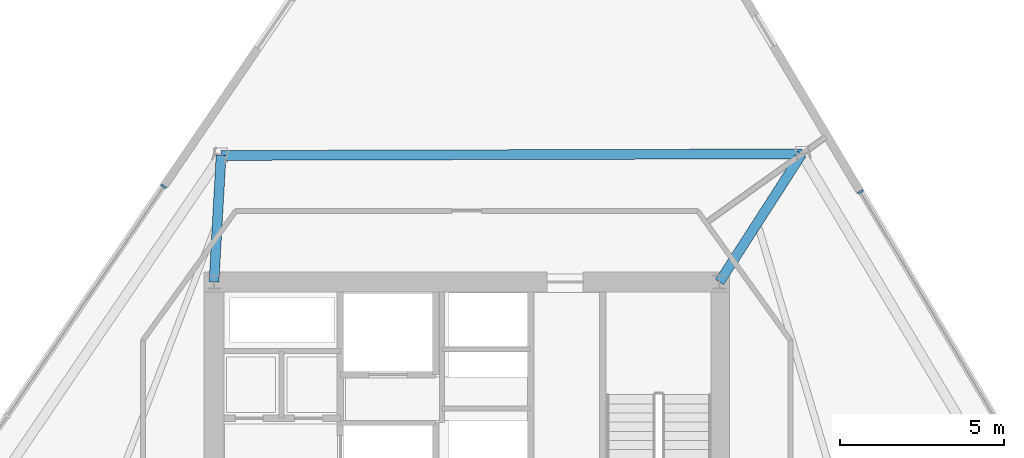
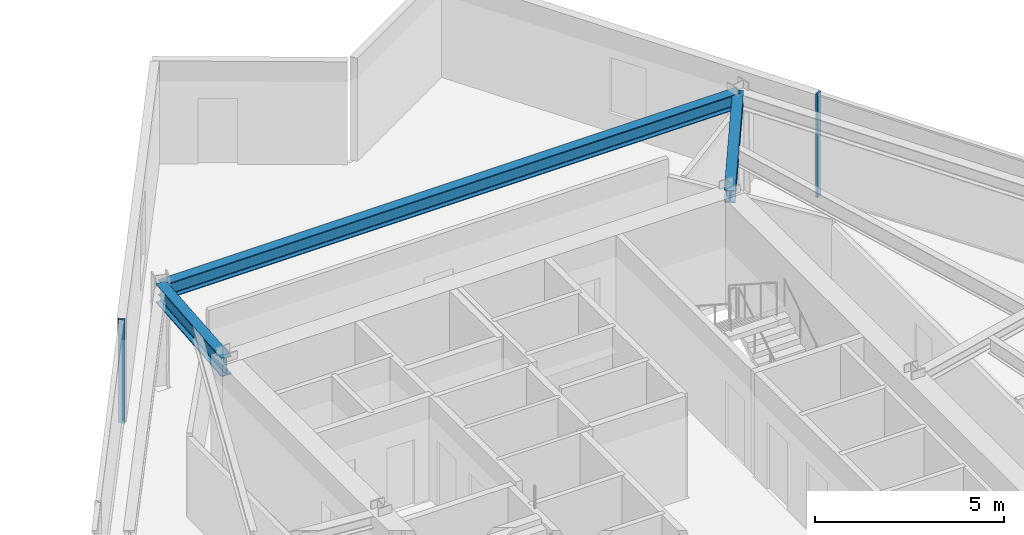
# One storey, part 6 of 15: 3 beams, 2 members, 2 elements without a shape of their own.
"""IFC4 building model written with IfcOpenShell, lengths in metres."""

from ifc_helpers import new_model, si_unit, direction, frame, origin, origin_2d, place, context, subcontext, project, spatial, rectangle, i_section, extrude, material, material_profile, profile_set, type_object, element, aggregate, save


model = new_model("IFC4")

# Units and contexts
model_context = context("Model", 3, precision=1e-05, world=origin(), true_north=direction((0.0, 1.0)))
body_context = subcontext(model_context, "Body", "Model", "MODEL_VIEW")
ifc_project = project(units=[si_unit("LENGTHUNIT", "METRE"), si_unit("AREAUNIT", "SQUARE_METRE"), si_unit("VOLUMEUNIT", "CUBIC_METRE"), si_unit("PLANEANGLEUNIT", "RADIAN"), si_unit("MASSUNIT", "GRAM", prefix="KILO")], contexts=[model_context])

# Site, building, storey
site_placement = place(None, origin())
site = spatial("IfcSite", under=ifc_project, at=site_placement, CompositionType="ELEMENT")
building_placement = place(site_placement, origin())
building = spatial("IfcBuilding", under=site, at=building_placement, Name="Savorim Split Tower", CompositionType="ELEMENT")
storey_placement = place(building_placement, frame((0.0, 0.0, 82.5)))
storey = spatial("IfcBuildingStorey", under=building, at=storey_placement, Name="L21", CompositionType="ELEMENT", Elevation=82.5)

# Beams
ifc_material_1 = material(Name="Steel S355", Category="steel")
ifc_material_profile_1 = material_profile(ifc_material_1, i_section(OverallWidth=0.300048828125, OverallDepth=0.39990234375, WebThickness=0.013427734375, FlangeThickness=0.02392578125, FilletRadius=0.027099609375, at=origin_2d()), Name="HEB 400")
ifc_profile_set_1 = profile_set([ifc_material_profile_1], Name="Steel S355")
beam_type_1 = type_object("IfcBeamType", Name="BM-PRI-HEB400", PredefinedType="BEAM", material=ifc_profile_set_1)
beam_1_placement = place(storey_placement, frame((10.208984375, 14.10400390625, 3.14990234375), z_axis=(-0.540648573136, -0.841248548508, 0.0), x_axis=(0.841248548508, -0.540648573136, 0.0)))
element("IfcBeam", 1, at=beam_1_placement, inside=storey, type_object=beam_type_1, Name="L21 Primary Floor Girder RG-07", PredefinedType="BEAM", context=body_context, shape_type="SweptSolid", body=[
    extrude(i_section(OverallWidth=0.300048828125, OverallDepth=0.39990234375, WebThickness=0.013427734375, FlangeThickness=0.02392578125, FilletRadius=0.027099609375, at=origin_2d()), origin(), (0.0, 0.0, 1.0), 4.640869140625),
])
ifc_material_profile_2 = material_profile(ifc_material_1, i_section(OverallWidth=0.300048828125, OverallDepth=0.60009765625, WebThickness=0.015380859375, FlangeThickness=0.030029296875, FilletRadius=0.027099609375, at=origin_2d()), Name="HEB 600")
ifc_profile_set_2 = profile_set([ifc_material_profile_2], Name="Steel S355")
beam_type_2 = type_object("IfcBeamType", Name="BM-PRI-HEB600", PredefinedType="BEAM", material=ifc_profile_set_2)
beam_2_placement = place(storey_placement, frame((-7.485107421875, 14.05517578125, 3.050048828125), z_axis=(-0.055641612868, -0.998450805457, 0.0), x_axis=(0.998450805457, -0.055641612868, 0.0)))
element("IfcBeam", 2, at=beam_2_placement, inside=storey, type_object=beam_type_2, Name="L21 Primary Floor Girder RG-08", PredefinedType="BEAM", context=body_context, shape_type="SweptSolid", body=[
    extrude(i_section(OverallWidth=0.300048828125, OverallDepth=0.60009765625, WebThickness=0.015380859375, FlangeThickness=0.030029296875, FilletRadius=0.027099609375, at=origin_2d()), origin(), (0.0, 0.0, 1.0), 3.861328125),
])
ifc_material_profile_3 = material_profile(ifc_material_1, i_section(OverallWidth=0.300048828125, OverallDepth=0.489990234375, WebThickness=0.011962890625, FlangeThickness=0.02294921875, FilletRadius=0.027099609375, at=origin_2d()), Name="HEA 500")
ifc_profile_set_3 = profile_set([ifc_material_profile_3], Name="Steel S355")
beam_type_3 = type_object("IfcBeamType", Name="BM-SPN-HEA500", PredefinedType="SPANDREL", material=ifc_profile_set_3)
beam_3_placement = place(storey_placement, frame((10.208984375, 14.10400390625, 3.10498046875), z_axis=(-0.999996192402, -0.002759561759, 0.0), x_axis=(0.002759561759, -0.999996192402, 0.0)))
element("IfcBeam", 3, at=beam_3_placement, inside=storey, type_object=beam_type_3, Name="L21 Perimeter Spandrel Beam 7", PredefinedType="SPANDREL", context=body_context, shape_type="SweptSolid", body=[
    extrude(i_section(OverallWidth=0.300048828125, OverallDepth=0.489990234375, WebThickness=0.011962890625, FlangeThickness=0.02294921875, FilletRadius=0.027099609375, at=origin_2d()), origin(), (0.0, 0.0, 1.0), 17.694091796875),
])

# Curtain wall, member
ifc_material_2 = material(Name="Dark Ceramic-Fritted Insulated Glass", Category="glass")
curtain_wall_type = type_object("IfcCurtainWallType", Name="CW-TWR-FRIT-A", PredefinedType="NOTDEFINED", material=ifc_material_2)
curtain_wall_1_placement = place(storey_placement, origin())
curtain_wall_1 = element("IfcCurtainWall", 4, at=curtain_wall_1_placement, inside=storey, type_object=curtain_wall_type, Name="L21 Curtain Wall CW-L21-EAST", PredefinedType="NOTDEFINED")
ifc_material_3 = material(Name="Charcoal Anodised Aluminium", Category="aluminium")
ifc_material_profile_4 = material_profile(ifc_material_3, rectangle(XDim=0.179931640625, YDim=0.06494140625, at=origin_2d()), Name="ALU-M 180x65")
ifc_profile_set_4 = profile_set([ifc_material_profile_4], Name="Charcoal Anodised Aluminium")
member_type = type_object("IfcMemberType", Name="CWM-180x65", PredefinedType="MULLION", material=ifc_profile_set_4)
member_1_placement = place(storey_placement, frame((11.993408203125, 12.94482421875, 0.0), z_axis=(0.0, 0.0, 1.0), x_axis=(-0.859524537852, -0.511094481315, 0.0)))
member_1 = element("IfcMember", 5, at=member_1_placement, type_object=member_type, Name="CW-02 mullion 5", PredefinedType="MULLION", context=body_context, shape_type="SweptSolid", body=[
    extrude(rectangle(XDim=0.179931640625, YDim=0.06494140625, at=origin_2d()), origin(), (0.0, 0.0, 1.0), 3.35009765625),
])
aggregate(curtain_wall_1, [member_1])

curtain_wall_2_placement = place(storey_placement, origin())
curtain_wall_2 = element("IfcCurtainWall", 6, at=curtain_wall_2_placement, inside=storey, type_object=curtain_wall_type, Name="L21 Curtain Wall CW-L21-WEST", PredefinedType="NOTDEFINED")
member_2_placement = place(storey_placement, frame((-9.235595703125, 13.109130859375, 0.0), z_axis=(0.0, 0.0, 1.0), x_axis=(0.826819383915, -0.562467515846, 0.0)))
member_2 = element("IfcMember", 7, at=member_2_placement, type_object=member_type, Name="CW-02 mullion 1", PredefinedType="MULLION", context=body_context, shape_type="SweptSolid", body=[
    extrude(rectangle(XDim=0.179931640625, YDim=0.06494140625, at=origin_2d()), origin(), (0.0, 0.0, 1.0), 3.35009765625),
])
aggregate(curtain_wall_2, [member_2])

save(model, "model.ifc")
